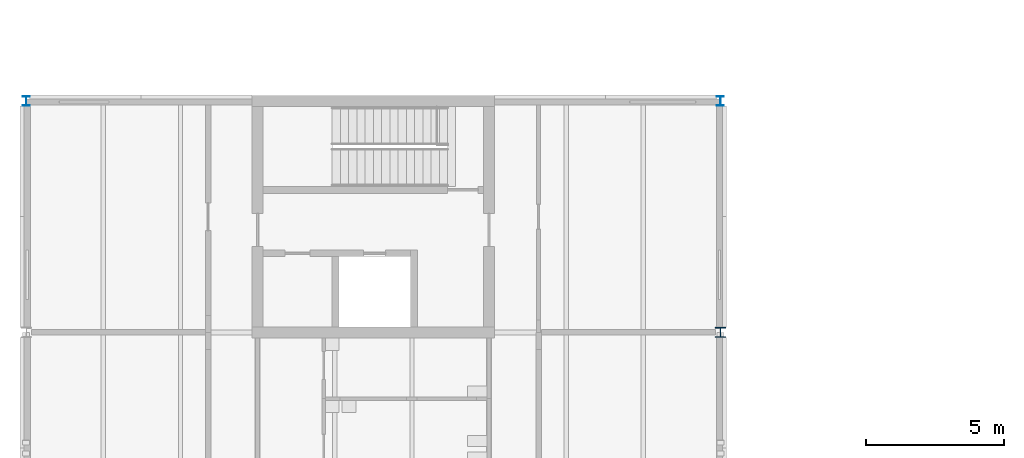
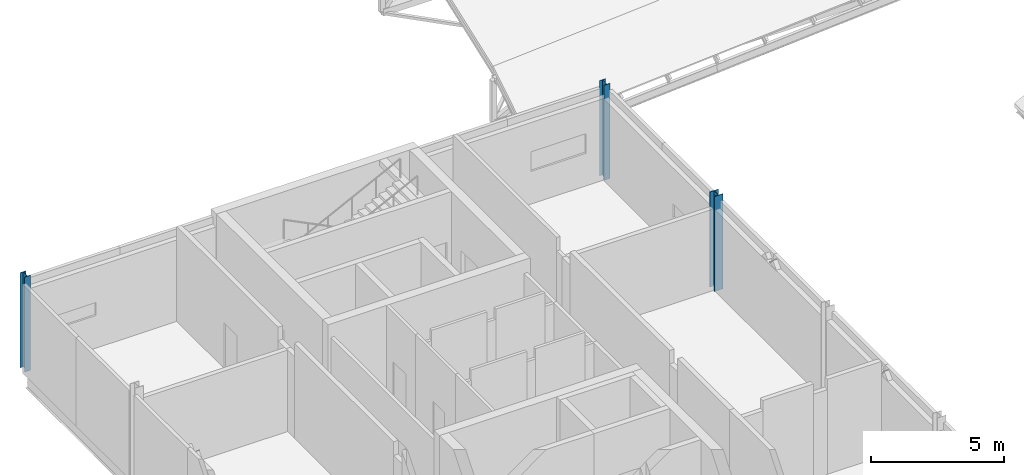
# One storey, part 2 of 76: 3 columns.
"""IFC4 building model written with IfcOpenShell, lengths in metres."""

from ifc_helpers import new_model, si_unit, direction, frame, origin, origin_2d, place, context, subcontext, project, spatial, i_section, extrude, material, material_profile, profile_set, type_object, element, save


model = new_model("IFC4")

# Units and contexts
model_context = context("Model", 3, precision=1e-05, world=origin(), true_north=direction((0.0, 1.0)))
body_context = subcontext(model_context, "Body", "Model", "MODEL_VIEW")
ifc_project = project(units=[si_unit("LENGTHUNIT", "METRE"), si_unit("AREAUNIT", "SQUARE_METRE"), si_unit("VOLUMEUNIT", "CUBIC_METRE"), si_unit("PLANEANGLEUNIT", "RADIAN"), si_unit("MASSUNIT", "GRAM", prefix="KILO")], contexts=[model_context])

# Site, building, storey
site_placement = place(None, origin())
site = spatial("IfcSite", under=ifc_project, at=site_placement, CompositionType="ELEMENT")
building_placement = place(site_placement, origin())
building = spatial("IfcBuilding", under=site, at=building_placement, Name="Hlaing Beacon Police Headquarters", CompositionType="ELEMENT")
storey_placement = place(building_placement, frame((0.0, 0.0, 18.89990234375)))
storey = spatial("IfcBuildingStorey", under=building, at=storey_placement, Name="L04", CompositionType="ELEMENT", Elevation=18.89990234375)

# Columns
ifc_material_1 = material(Name="Steel ASTM A992 Grade 50", Category="steel")
ifc_material_profile_1 = material_profile(ifc_material_1, i_section(OverallWidth=0.25390625, OverallDepth=0.35302734375, WebThickness=0.009521484375, FlangeThickness=0.016357421875, FilletRadius=0.01513671875, at=origin_2d()), Name="W14x61")
ifc_profile_set_1 = profile_set([ifc_material_profile_1], Name="Steel ASTM A992 Grade 50")
column_type_1 = type_object("IfcColumnType", Name="Steel column W14x61", PredefinedType="COLUMN", material=ifc_profile_set_1)
for number, where, z_axis, x_axis, name in (
    (1, (8.39990234375, 67.199951171875, 0.0), (0.0, 0.0, 1.0), (1.0, 0.0, 0.0), "STR-COL-L04-B9"),
    (2, (33.60009765625, 67.199951171875, 0.0), (0.0, 0.0, 1.0), (1.0, 0.0, 0.0), "STR-COL-L04-E9"),
):
    element("IfcColumn", number, at=place(storey_placement, frame(where, z_axis=z_axis, x_axis=x_axis)), inside=storey, type_object=column_type_1, Name=name, PredefinedType="COLUMN", context=body_context, shape_type="SweptSolid", body=[
        extrude(i_section(OverallWidth=0.25390625, OverallDepth=0.35302734375, WebThickness=0.009521484375, FlangeThickness=0.016357421875, FilletRadius=0.01513671875, at=origin_2d()), origin(), (0.0, 0.0, 1.0), 4.3701171875),
    ])
ifc_material_2 = material(Name="Steel ASTM A992 Grade 50", Category="steel")
ifc_material_profile_2 = material_profile(ifc_material_2, i_section(OverallWidth=0.370849609375, OverallDepth=0.360595703125, WebThickness=0.01220703125, FlangeThickness=0.019775390625, FilletRadius=0.01513671875, at=origin_2d()), Name="W14x99")
ifc_profile_set_2 = profile_set([ifc_material_profile_2], Name="Steel ASTM A992 Grade 50")
column_type_2 = type_object("IfcColumnType", Name="Steel column W14x99", PredefinedType="COLUMN", material=ifc_profile_set_2)
column_placement = place(storey_placement, frame((33.60009765625, 58.800048828125, 0.0), z_axis=(0.0, 0.0, 1.0), x_axis=(1.0, 0.0, 0.0)))
element("IfcColumn", 3, at=column_placement, inside=storey, type_object=column_type_2, Name="STR-COL-L04-E8", PredefinedType="COLUMN", context=body_context, shape_type="SweptSolid", body=[
    extrude(i_section(OverallWidth=0.370849609375, OverallDepth=0.360595703125, WebThickness=0.01220703125, FlangeThickness=0.019775390625, FilletRadius=0.01513671875, at=origin_2d()), origin(), (0.0, 0.0, 1.0), 4.3701171875),
])

save(model, "model.ifc")
